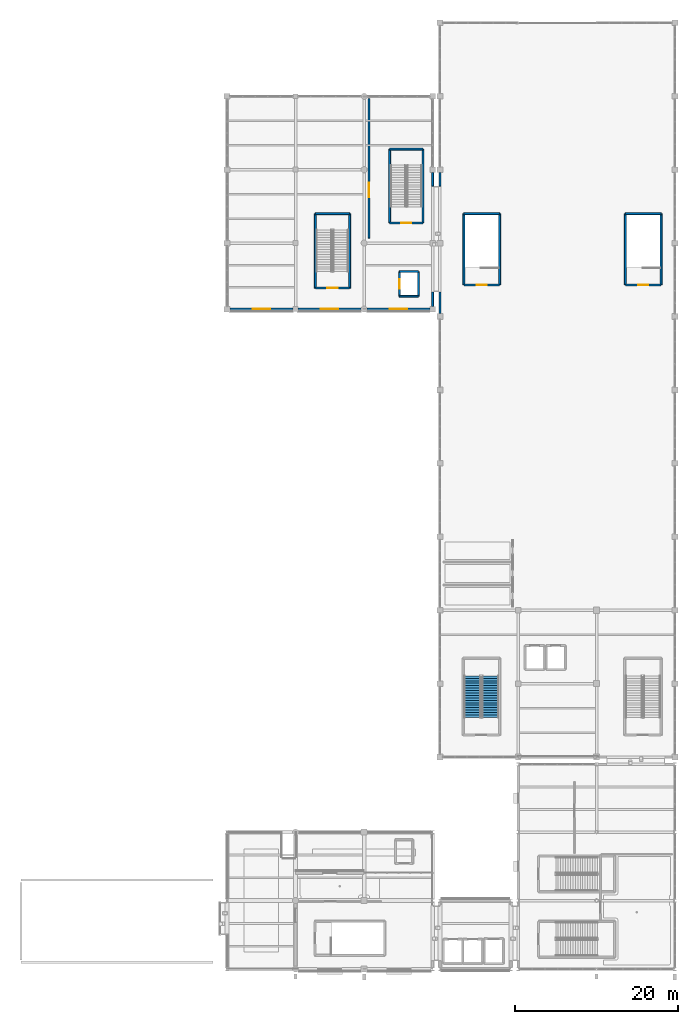
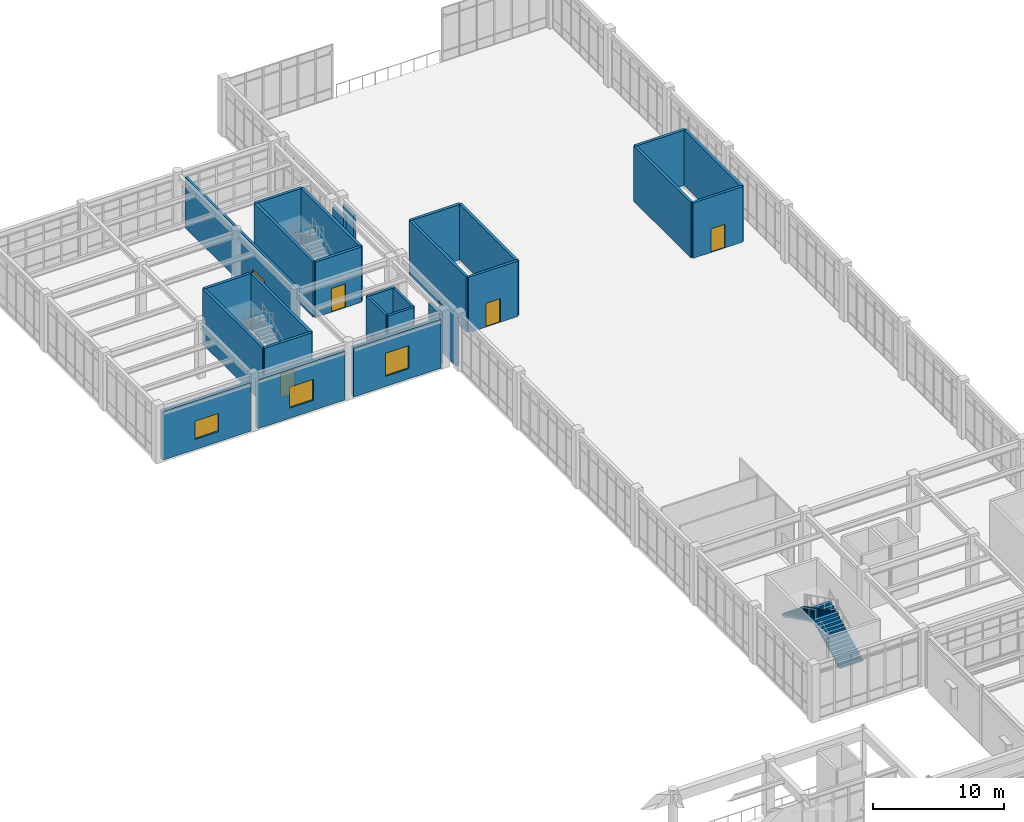
# One storey, part 67 of 80: 28 walls, 6 doors, 3 windows, 2 stair flights, 9 openings, 1 element without a shape of its own.
"""IFC4 building model written with IfcOpenShell, lengths in metres."""

from ifc_helpers import new_model, si_unit, direction, frame, frame_2d, origin, place, context, subcontext, project, spatial, polyline, rectangle, outline, extrude, material, layer, layer_set, type_object, element, fill, aggregate, save


model = new_model("IFC4")

# Units and contexts
model_context = context("Model", 3, precision=1e-05, world=origin(), true_north=direction((0.0, 1.0)))
body_context = subcontext(model_context, "Body", "Model", "MODEL_VIEW")
ifc_project = project(units=[si_unit("LENGTHUNIT", "METRE"), si_unit("AREAUNIT", "SQUARE_METRE"), si_unit("VOLUMEUNIT", "CUBIC_METRE"), si_unit("PLANEANGLEUNIT", "RADIAN"), si_unit("MASSUNIT", "GRAM", prefix="KILO")], contexts=[model_context])

# Site, building, storey
site_placement = place(None, origin())
site = spatial("IfcSite", under=ifc_project, at=site_placement, CompositionType="ELEMENT")
building_placement = place(site_placement, origin())
building = spatial("IfcBuilding", under=site, at=building_placement, Name="Canglan Escarpment Cableway Terminal", CompositionType="ELEMENT")
storey_placement = place(building_placement, frame((0.0, 0.0, 19.199951171875)))
storey = spatial("IfcBuildingStorey", under=building, at=storey_placement, Name="L04", CompositionType="ELEMENT", Elevation=19.199951171875)

# Walls
ifc_material_1 = material(Name="Concrete C40", Category="concrete")
ifc_layer_1 = layer(ifc_material_1, 0.239990234375, Name="Concrete C40")
ifc_layer_set_1 = layer_set([ifc_layer_1], Name="Concrete C40")
wall_type_1 = type_object("IfcWallType", Name="WL-CORE-SHEAR-240", PredefinedType="SHEAR", material=ifc_layer_set_1)
wall_1_placement = place(storey_placement, frame((126.52001953125, 91.47998046875, 0.0), z_axis=(0.0, 0.0, 1.0), x_axis=(0.0, 1.0, 0.0)))
element("IfcWall", 1, at=wall_1_placement, inside=storey, type_object=wall_type_1, Name="Protected stair core wall ST-12 (L04)", PredefinedType="SHEAR", context=body_context, shape_type="SweptSolid", body=[
    extrude(rectangle(XDim=9.14013671875, YDim=0.239990234375, at=frame_2d((4.570068359375, 0.0))), origin(), (0.0, 0.0, 1.0), 5.16015625),
])
wall_2_placement = place(storey_placement, frame((126.52001953125, 100.6201171875, 0.0), z_axis=(0.0, 0.0, 1.0), x_axis=(-1.0, 0.0, 0.0)))
element("IfcWall", 2, at=wall_2_placement, inside=storey, type_object=wall_type_1, Name="Protected stair core wall ST-12 (L04)", PredefinedType="SHEAR", context=body_context, shape_type="SweptSolid", body=[
    extrude(rectangle(XDim=4.18994140625, YDim=0.239990234375, at=frame_2d((2.094970703125, 0.0))), origin(), (0.0, 0.0, 1.0), 5.16015625),
])
wall_3_placement = place(storey_placement, frame((122.330078125, 100.6201171875, 0.0), z_axis=(0.0, 0.0, 1.0), x_axis=(0.0, -1.0, 0.0)))
element("IfcWall", 3, at=wall_3_placement, inside=storey, type_object=wall_type_1, Name="Protected stair core wall ST-12 (L04)", PredefinedType="SHEAR", context=body_context, shape_type="SweptSolid", body=[
    extrude(rectangle(XDim=9.14013671875, YDim=0.239990234375, at=frame_2d((4.570068359375, 0.0))), origin(), (0.0, 0.0, 1.0), 5.16015625),
])

# Wall, opening, door
wall_4_placement = place(storey_placement, frame((122.330078125, 91.47998046875, 0.0), z_axis=(0.0, 0.0, 1.0), x_axis=(1.0, 0.0, 0.0)))
wall_4 = element("IfcWall", 4, at=wall_4_placement, inside=storey, type_object=wall_type_1, Name="Protected stair core wall ST-12 (L04)", PredefinedType="SHEAR", context=body_context, shape_type="SweptSolid", body=[
    extrude(rectangle(XDim=4.18994140625, YDim=0.239990234375, at=frame_2d((2.094970703125, 0.0))), origin(), (0.0, 0.0, 1.0), 5.16015625),
])
opening_1_placement = place(wall_4_placement, frame((1.469970703125, 0.0, 0.0)))
opening_1 = element("IfcOpeningElement", 5, at=opening_1_placement, cuts=wall_4, Name="Opening SD-D1", PredefinedType="OPENING", context=body_context, shape_type="SweptSolid", body=[
    extrude(rectangle(XDim=1.25, YDim=2.199951171875, at=frame_2d((0.625, 1.10009765625))), frame((0.0, 0.1298828125, 0.0), z_axis=(0.0, -1.0, 0.0), x_axis=(1.0, 0.0, 0.0)), (0.0, 0.0, 1.0), 0.260009765625),
])
ifc_material_2 = material(Name="Steel fire-resisting stair door", Category="steel")
door_type_1 = type_object("IfcDoorType", Name="DR-STAIR-EI90-1250", OperationType="NOTDEFINED", PredefinedType="DOOR", material=ifc_material_2)
door_1_placement = place(opening_1_placement, origin())
door_1 = element("IfcDoor", 6, at=door_1_placement, inside=storey, type_object=door_type_1, Name="Protected exit stair fire door ST-12 (L04)", OperationType="SINGLE_SWING_LEFT", OverallHeight=2.199951171875, OverallWidth=1.25, PredefinedType="DOOR", context=body_context, shape_type="SweptSolid", body=[
    extrude(rectangle(XDim=1.25, YDim=2.199951171875, at=frame_2d((0.625, 1.10009765625))), frame((0.0, 0.02490234375, 0.0), z_axis=(0.0, -1.0, 0.0), x_axis=(1.0, 0.0, 0.0)), (0.0, 0.0, 1.0), 0.050048828125),
])
fill(opening_1, door_1)

# Walls
wall_5_placement = place(storey_placement, frame((135.52001953125, 99.47998046875, 0.0), z_axis=(0.0, 0.0, 1.0), x_axis=(0.0, 1.0, 0.0)))
element("IfcWall", 7, at=wall_5_placement, inside=storey, type_object=wall_type_1, Name="Protected stair core wall ST-18 (L04)", PredefinedType="SHEAR", context=body_context, shape_type="SweptSolid", body=[
    extrude(rectangle(XDim=9.0400390625, YDim=0.239990234375, at=frame_2d((4.52001953125, 0.0))), origin(), (0.0, 0.0, 1.0), 5.16015625),
])
wall_6_placement = place(storey_placement, frame((135.52001953125, 108.52001953125, 0.0), z_axis=(0.0, 0.0, 1.0), x_axis=(-1.0, 0.0, 0.0)))
element("IfcWall", 8, at=wall_6_placement, inside=storey, type_object=wall_type_1, Name="Protected stair core wall ST-18 (L04)", PredefinedType="SHEAR", context=body_context, shape_type="SweptSolid", body=[
    extrude(rectangle(XDim=4.090087890625, YDim=0.239990234375, at=frame_2d((2.044921875, 0.0))), origin(), (0.0, 0.0, 1.0), 5.16015625),
])
wall_7_placement = place(storey_placement, frame((131.429931640625, 108.52001953125, 0.0), z_axis=(0.0, 0.0, 1.0), x_axis=(0.0, -1.0, 0.0)))
element("IfcWall", 9, at=wall_7_placement, inside=storey, type_object=wall_type_1, Name="Protected stair core wall ST-18 (L04)", PredefinedType="SHEAR", context=body_context, shape_type="SweptSolid", body=[
    extrude(rectangle(XDim=9.0400390625, YDim=0.239990234375, at=frame_2d((4.52001953125, 0.0))), origin(), (0.0, 0.0, 1.0), 5.16015625),
])

# Wall, opening, door
wall_8_placement = place(storey_placement, frame((131.429931640625, 99.47998046875, 0.0), z_axis=(0.0, 0.0, 1.0), x_axis=(1.0, 0.0, 0.0)))
wall_8 = element("IfcWall", 10, at=wall_8_placement, inside=storey, type_object=wall_type_1, Name="Protected stair core wall ST-18 (L04)", PredefinedType="SHEAR", context=body_context, shape_type="SweptSolid", body=[
    extrude(rectangle(XDim=4.090087890625, YDim=0.239990234375, at=frame_2d((2.044921875, 0.0))), origin(), (0.0, 0.0, 1.0), 5.16015625),
])
opening_2_placement = place(wall_8_placement, frame((1.419921875, 0.0, 0.0)))
opening_2 = element("IfcOpeningElement", 11, at=opening_2_placement, cuts=wall_8, Name="Opening SD-D1", PredefinedType="OPENING", context=body_context, shape_type="SweptSolid", body=[
    extrude(rectangle(XDim=1.25, YDim=2.199951171875, at=frame_2d((0.625, 1.10009765625))), frame((0.0, 0.1298828125, 0.0), z_axis=(0.0, -1.0, 0.0), x_axis=(1.0, 0.0, 0.0)), (0.0, 0.0, 1.0), 0.260009765625),
])
door_2_placement = place(opening_2_placement, origin())
door_2 = element("IfcDoor", 12, at=door_2_placement, inside=storey, type_object=door_type_1, Name="Protected exit stair fire door ST-18 (L04)", OperationType="SINGLE_SWING_RIGHT", OverallHeight=2.199951171875, OverallWidth=1.25, PredefinedType="DOOR", context=body_context, shape_type="SweptSolid", body=[
    extrude(rectangle(XDim=1.25, YDim=2.199951171875, at=frame_2d((0.625, 1.10009765625))), frame((0.0, 0.02490234375, 0.0), z_axis=(0.0, -1.0, 0.0), x_axis=(1.0, 0.0, 0.0)), (0.0, 0.0, 1.0), 0.050048828125),
])
fill(opening_2, door_2)

# Walls
wall_9_placement = place(storey_placement, frame((144.919921875, 91.8798828125, 0.0), z_axis=(0.0, 0.0, 1.0), x_axis=(0.0, 1.0, 0.0)))
element("IfcWall", 13, at=wall_9_placement, inside=storey, type_object=wall_type_1, Name="Protected stair core wall ST-16 (L04)", PredefinedType="SHEAR", context=body_context, shape_type="SweptSolid", body=[
    extrude(rectangle(XDim=8.740234375, YDim=0.239990234375, at=frame_2d((4.3701171875, 0.0))), origin(), (0.0, 0.0, 1.0), 5.16015625),
])
wall_10_placement = place(storey_placement, frame((144.919921875, 100.6201171875, 0.0), z_axis=(0.0, 0.0, 1.0), x_axis=(-1.0, 0.0, 0.0)))
element("IfcWall", 14, at=wall_10_placement, inside=storey, type_object=wall_type_1, Name="Protected stair core wall ST-16 (L04)", PredefinedType="SHEAR", context=body_context, shape_type="SweptSolid", body=[
    extrude(rectangle(XDim=4.389892578125, YDim=0.239990234375, at=frame_2d((2.19482421875, 0.0))), origin(), (0.0, 0.0, 1.0), 5.16015625),
])
wall_11_placement = place(storey_placement, frame((140.530029296875, 100.6201171875, 0.0), z_axis=(0.0, 0.0, 1.0), x_axis=(0.0, -1.0, 0.0)))
element("IfcWall", 15, at=wall_11_placement, inside=storey, type_object=wall_type_1, Name="Protected stair core wall ST-16 (L04)", PredefinedType="SHEAR", context=body_context, shape_type="SweptSolid", body=[
    extrude(rectangle(XDim=8.740234375, YDim=0.239990234375, at=frame_2d((4.3701171875, 0.0))), origin(), (0.0, 0.0, 1.0), 5.16015625),
])

# Wall, opening, door
wall_12_placement = place(storey_placement, frame((140.530029296875, 91.8798828125, 0.0), z_axis=(0.0, 0.0, 1.0), x_axis=(1.0, 0.0, 0.0)))
wall_12 = element("IfcWall", 16, at=wall_12_placement, inside=storey, type_object=wall_type_1, Name="Protected stair core wall ST-16 (L04)", PredefinedType="SHEAR", context=body_context, shape_type="SweptSolid", body=[
    extrude(rectangle(XDim=4.389892578125, YDim=0.239990234375, at=frame_2d((2.19482421875, 0.0))), origin(), (0.0, 0.0, 1.0), 5.16015625),
])
opening_3_placement = place(wall_12_placement, frame((1.570068359375, 0.0, 0.0)))
opening_3 = element("IfcOpeningElement", 17, at=opening_3_placement, cuts=wall_12, Name="Opening SD-D1", PredefinedType="OPENING", context=body_context, shape_type="SweptSolid", body=[
    extrude(rectangle(XDim=1.25, YDim=2.199951171875, at=frame_2d((0.625, 1.10009765625))), frame((0.0, 0.1298828125, 0.0), z_axis=(0.0, -1.0, 0.0), x_axis=(1.0, 0.0, 0.0)), (0.0, 0.0, 1.0), 0.260009765625),
])
door_3_placement = place(opening_3_placement, origin())
door_3 = element("IfcDoor", 18, at=door_3_placement, inside=storey, type_object=door_type_1, Name="Protected exit stair fire door ST-16 (L04)", OperationType="SINGLE_SWING_LEFT", OverallHeight=2.199951171875, OverallWidth=1.25, PredefinedType="DOOR", context=body_context, shape_type="SweptSolid", body=[
    extrude(rectangle(XDim=1.25, YDim=2.199951171875, at=frame_2d((0.625, 1.10009765625))), frame((0.0, 0.02490234375, 0.0), z_axis=(0.0, -1.0, 0.0), x_axis=(1.0, 0.0, 0.0)), (0.0, 0.0, 1.0), 0.050048828125),
])
fill(opening_3, door_3)

# Walls
wall_13_placement = place(storey_placement, frame((164.719970703125, 91.8798828125, 0.0), z_axis=(0.0, 0.0, 1.0), x_axis=(0.0, 1.0, 0.0)))
element("IfcWall", 19, at=wall_13_placement, inside=storey, type_object=wall_type_1, Name="Protected stair core wall ST-17 (L04)", PredefinedType="SHEAR", context=body_context, shape_type="SweptSolid", body=[
    extrude(rectangle(XDim=8.740234375, YDim=0.239990234375, at=frame_2d((4.3701171875, 0.0))), origin(), (0.0, 0.0, 1.0), 5.16015625),
])
wall_14_placement = place(storey_placement, frame((164.719970703125, 100.6201171875, 0.0), z_axis=(0.0, 0.0, 1.0), x_axis=(-1.0, 0.0, 0.0)))
element("IfcWall", 20, at=wall_14_placement, inside=storey, type_object=wall_type_1, Name="Protected stair core wall ST-17 (L04)", PredefinedType="SHEAR", context=body_context, shape_type="SweptSolid", body=[
    extrude(rectangle(XDim=4.389892578125, YDim=0.239990234375, at=frame_2d((2.19482421875, 0.0))), origin(), (0.0, 0.0, 1.0), 5.16015625),
])
wall_15_placement = place(storey_placement, frame((160.330078125, 100.6201171875, 0.0), z_axis=(0.0, 0.0, 1.0), x_axis=(0.0, -1.0, 0.0)))
element("IfcWall", 21, at=wall_15_placement, inside=storey, type_object=wall_type_1, Name="Protected stair core wall ST-17 (L04)", PredefinedType="SHEAR", context=body_context, shape_type="SweptSolid", body=[
    extrude(rectangle(XDim=8.740234375, YDim=0.239990234375, at=frame_2d((4.3701171875, 0.0))), origin(), (0.0, 0.0, 1.0), 5.16015625),
])

# Wall, opening, door
wall_16_placement = place(storey_placement, frame((160.330078125, 91.8798828125, 0.0), z_axis=(0.0, 0.0, 1.0), x_axis=(1.0, 0.0, 0.0)))
wall_16 = element("IfcWall", 22, at=wall_16_placement, inside=storey, type_object=wall_type_1, Name="Protected stair core wall ST-17 (L04)", PredefinedType="SHEAR", context=body_context, shape_type="SweptSolid", body=[
    extrude(rectangle(XDim=4.389892578125, YDim=0.239990234375, at=frame_2d((2.19482421875, 0.0))), origin(), (0.0, 0.0, 1.0), 5.16015625),
])
opening_4_placement = place(wall_16_placement, frame((1.570068359375, 0.0, 0.0)))
opening_4 = element("IfcOpeningElement", 23, at=opening_4_placement, cuts=wall_16, Name="Opening SD-D1", PredefinedType="OPENING", context=body_context, shape_type="SweptSolid", body=[
    extrude(rectangle(XDim=1.25, YDim=2.199951171875, at=frame_2d((0.625, 1.10009765625))), frame((0.0, 0.1298828125, 0.0), z_axis=(0.0, -1.0, 0.0), x_axis=(1.0, 0.0, 0.0)), (0.0, 0.0, 1.0), 0.260009765625),
])
door_4_placement = place(opening_4_placement, origin())
door_4 = element("IfcDoor", 24, at=door_4_placement, inside=storey, type_object=door_type_1, Name="Protected exit stair fire door ST-17 (L04)", OperationType="SINGLE_SWING_LEFT", OverallHeight=2.199951171875, OverallWidth=1.25, PredefinedType="DOOR", context=body_context, shape_type="SweptSolid", body=[
    extrude(rectangle(XDim=1.25, YDim=2.199951171875, at=frame_2d((0.625, 1.10009765625))), frame((0.0, 0.02490234375, 0.0), z_axis=(0.0, -1.0, 0.0), x_axis=(1.0, 0.0, 0.0)), (0.0, 0.0, 1.0), 0.050048828125),
])
fill(opening_4, door_4)

# Wall, opening, window
ifc_material_3 = material(Name="Bush-hammered granite ashlar on Concrete C40", Category="masonry")
ifc_layer_2 = layer(ifc_material_3, 0.340087890625, Name="Bush-hammered granite ashlar on Concrete C40")
ifc_layer_set_2 = layer_set([ifc_layer_2], Name="Bush-hammered granite ashlar on Concrete C40")
wall_type_2 = type_object("IfcWallType", Name="WL-EXT-GRAN-340", PredefinedType="STANDARD", material=ifc_layer_set_2)
wall_17_placement = place(storey_placement, frame((111.85009765625, 88.89990234375, 0.0), z_axis=(0.0, 0.0, 1.0), x_axis=(1.0, 0.0, 0.0)))
wall_17 = element("IfcWall", 25, at=wall_17_placement, inside=storey, type_object=wall_type_2, Name="Classical stone-faced exterior wall EW-FB8-L04-S-01", PredefinedType="STANDARD", context=body_context, shape_type="SweptSolid", body=[
    extrude(rectangle(XDim=7.75, YDim=0.340087890625, at=frame_2d((3.875, 0.0))), origin(), (0.0, 0.0, 1.0), 4.52099609375),
])
opening_5_placement = place(wall_17_placement, frame((2.824951171875, 0.0, 0.949951171875)))
opening_5 = element("IfcOpeningElement", 26, at=opening_5_placement, cuts=wall_17, Name="Opening W-18", PredefinedType="OPENING", context=body_context, shape_type="SweptSolid", body=[
    extrude(rectangle(XDim=2.10009765625, YDim=1.699951171875, at=frame_2d((1.050048828125, 0.85009765625))), frame((0.0, 0.18017578125, 0.0), z_axis=(0.0, -1.0, 0.0), x_axis=(1.0, 0.0, 0.0)), (0.0, 0.0, 1.0), 0.360107421875),
])
ifc_material_4 = material(Name="Anodized bronze aluminium and Low-E double glazing", Category="aluminium")
window_type_1 = type_object("IfcWindowType", Name="WIN-EXT-18", PartitioningType="DOUBLE_PANEL_VERTICAL", PredefinedType="WINDOW", material=ifc_material_4)
window_1_placement = place(opening_5_placement, origin())
window_1 = element("IfcWindow", 27, at=window_1_placement, inside=storey, type_object=window_type_1, Name="Classical module window W-18", OverallHeight=1.699951171875, OverallWidth=2.10009765625, PartitioningType="SINGLE_PANEL", PredefinedType="WINDOW", context=body_context, shape_type="SweptSolid", body=[
    extrude(rectangle(XDim=2.10009765625, YDim=1.699951171875, at=frame_2d((1.050048828125, 0.85009765625))), frame((0.0, 0.030029296875, 0.0), z_axis=(0.0, -1.0, 0.0), x_axis=(1.0, 0.0, 0.0)), (0.0, 0.0, 1.0), 0.06005859375),
])
fill(opening_5, window_1)

wall_18_placement = place(storey_placement, frame((120.199951171875, 88.89990234375, 0.0), z_axis=(0.0, 0.0, 1.0), x_axis=(1.0, 0.0, 0.0)))
wall_18 = element("IfcWall", 28, at=wall_18_placement, inside=storey, type_object=wall_type_2, Name="Classical stone-faced exterior wall EW-FB8-L04-S-02", PredefinedType="STANDARD", context=body_context, shape_type="SweptSolid", body=[
    extrude(rectangle(XDim=7.72509765625, YDim=0.340087890625, at=frame_2d((3.862548828125, 0.0))), origin(), (0.0, 0.0, 1.0), 4.551025390625),
])
opening_6_placement = place(wall_18_placement, frame((2.8125, 0.0, 0.949951171875)))
opening_6 = element("IfcOpeningElement", 29, at=opening_6_placement, cuts=wall_18, Name="Opening W-19", PredefinedType="OPENING", context=body_context, shape_type="SweptSolid", body=[
    extrude(rectangle(XDim=2.10009765625, YDim=1.949951171875, at=frame_2d((1.050048828125, 0.97509765625))), frame((0.0, 0.18017578125, 0.0), z_axis=(0.0, -1.0, 0.0), x_axis=(1.0, 0.0, 0.0)), (0.0, 0.0, 1.0), 0.360107421875),
])
window_type_2 = type_object("IfcWindowType", Name="WIN-EXT-19", PartitioningType="DOUBLE_PANEL_VERTICAL", PredefinedType="WINDOW", material=ifc_material_4)
window_2_placement = place(opening_6_placement, origin())
window_2 = element("IfcWindow", 30, at=window_2_placement, inside=storey, type_object=window_type_2, Name="Classical module window W-19", OverallHeight=1.949951171875, OverallWidth=2.10009765625, PartitioningType="SINGLE_PANEL", PredefinedType="WINDOW", context=body_context, shape_type="SweptSolid", body=[
    extrude(rectangle(XDim=2.10009765625, YDim=1.949951171875, at=frame_2d((1.050048828125, 0.97509765625))), frame((0.0, 0.030029296875, 0.0), z_axis=(0.0, -1.0, 0.0), x_axis=(1.0, 0.0, 0.0)), (0.0, 0.0, 1.0), 0.06005859375),
])
fill(opening_6, window_2)

wall_19_placement = place(storey_placement, frame((128.675048828125, 88.89990234375, 0.0), z_axis=(0.0, 0.0, 1.0), x_axis=(1.0, 0.0, 0.0)))
wall_19 = element("IfcWall", 31, at=wall_19_placement, inside=storey, type_object=wall_type_2, Name="Classical stone-faced exterior wall EW-FB8-L04-S-03", PredefinedType="STANDARD", context=body_context, shape_type="SweptSolid", body=[
    extrude(rectangle(XDim=7.675048828125, YDim=0.340087890625, at=frame_2d((3.83740234375, 0.0))), origin(), (0.0, 0.0, 1.0), 4.551025390625),
])
opening_7_placement = place(wall_19_placement, frame((2.78759765625, 0.0, 0.949951171875)))
opening_7 = element("IfcOpeningElement", 32, at=opening_7_placement, cuts=wall_19, Name="Opening W-20", PredefinedType="OPENING", context=body_context, shape_type="SweptSolid", body=[
    extrude(rectangle(XDim=2.10009765625, YDim=2.14990234375, at=frame_2d((1.050048828125, 1.074951171875))), frame((0.0, 0.18017578125, 0.0), z_axis=(0.0, -1.0, 0.0), x_axis=(1.0, 0.0, 0.0)), (0.0, 0.0, 1.0), 0.360107421875),
])
window_type_3 = type_object("IfcWindowType", Name="WIN-EXT-20", PartitioningType="DOUBLE_PANEL_VERTICAL", PredefinedType="WINDOW", material=ifc_material_4)
window_3_placement = place(opening_7_placement, origin())
window_3 = element("IfcWindow", 33, at=window_3_placement, inside=storey, type_object=window_type_3, Name="Classical module window W-20", OverallHeight=2.14990234375, OverallWidth=2.10009765625, PartitioningType="SINGLE_PANEL", PredefinedType="WINDOW", context=body_context, shape_type="SweptSolid", body=[
    extrude(rectangle(XDim=2.10009765625, YDim=2.14990234375, at=frame_2d((1.050048828125, 1.074951171875))), frame((0.0, 0.030029296875, 0.0), z_axis=(0.0, -1.0, 0.0), x_axis=(1.0, 0.0, 0.0)), (0.0, 0.0, 1.0), 0.06005859375),
])
fill(opening_7, window_3)

# Walls
ifc_material_5 = material(Name="Insulated stone-faced spandrel wall", Category="masonry")
ifc_layer_3 = layer(ifc_material_5, 0.22998046875, Name="Insulated stone-faced spandrel wall")
ifc_layer_set_3 = layer_set([ifc_layer_3], Name="Insulated stone-faced spandrel wall")
wall_type_3 = type_object("IfcWallType", Name="WL-EXT-LINK-230", PredefinedType="STANDARD", material=ifc_layer_set_3)
wall_20_placement = place(storey_placement, frame((136.699951171875, 89.25, 0.0), z_axis=(0.0, 0.0, 1.0), x_axis=(0.0, 1.0, 0.0)))
element("IfcWall", 34, at=wall_20_placement, inside=storey, type_object=wall_type_3, Name="Classical stone-faced exterior wall EW-FB8-L04-E-01-FL1", PredefinedType="STANDARD", context=body_context, shape_type="SweptSolid", body=[
    extrude(rectangle(XDim=1.75, YDim=0.22998046875, at=frame_2d((0.875, 0.0))), origin(), (0.0, 0.0, 1.0), 4.656982421875),
])
wall_21_placement = place(storey_placement, frame((136.699951171875, 104.0, 0.0), z_axis=(0.0, 0.0, 1.0), x_axis=(0.0, 1.0, 0.0)))
element("IfcWall", 35, at=wall_21_placement, inside=storey, type_object=wall_type_3, Name="Classical stone-faced exterior wall EW-FB8-L04-E-02-FL2", PredefinedType="STANDARD", context=body_context, shape_type="SweptSolid", body=[
    extrude(rectangle(XDim=1.64990234375, YDim=0.22998046875, at=frame_2d((0.824951171875, 0.0))), origin(), (0.0, 0.0, 1.0), 4.656982421875),
])
wall_22_placement = place(storey_placement, frame((137.60009765625, 88.35009765625, 0.0), z_axis=(0.0, 0.0, 1.0), x_axis=(0.0, 1.0, 0.0)))
element("IfcWall", 36, at=wall_22_placement, inside=storey, type_object=wall_type_3, Name="Classical stone-faced exterior wall EW-FB9-L04-W-07-FL1", PredefinedType="STANDARD", context=body_context, shape_type="SweptSolid", body=[
    extrude(rectangle(XDim=2.64990234375, YDim=0.22998046875, at=frame_2d((1.324951171875, 0.0))), origin(), (0.0, 0.0, 1.0), 4.551025390625),
])
wall_23_placement = place(storey_placement, frame((137.60009765625, 104.0, 0.0), z_axis=(0.0, 0.0, 1.0), x_axis=(0.0, 1.0, 0.0)))
element("IfcWall", 37, at=wall_23_placement, inside=storey, type_object=wall_type_3, Name="Classical stone-faced exterior wall EW-FB9-L04-W-08-FL2", PredefinedType="STANDARD", context=body_context, shape_type="SweptSolid", body=[
    extrude(rectangle(XDim=1.64990234375, YDim=0.22998046875, at=frame_2d((0.824951171875, 0.0))), origin(), (0.0, 0.0, 1.0), 4.551025390625),
])

# Wall, opening, door
ifc_material_6 = material(Name="Autoclaved aerated concrete blockwork", Category="masonry")
ifc_layer_4 = layer(ifc_material_6, 0.199951171875, Name="Autoclaved aerated concrete blockwork")
ifc_layer_set_4 = layer_set([ifc_layer_4], Name="Autoclaved aerated concrete blockwork")
wall_type_4 = type_object("IfcWallType", Name="WL-INT-FIRE-200-EI90", PredefinedType="PARTITIONING", material=ifc_layer_set_4)
wall_24_placement = place(storey_placement, frame((128.89990234375, 97.60009765625, 0.0), z_axis=(0.0, 0.0, 1.0), x_axis=(0.0, 1.0, 0.0)))
wall_24 = element("IfcWall", 38, at=wall_24_placement, inside=storey, type_object=wall_type_4, Name="Interior partition wall IW-L04-08-MAIN", PredefinedType="PARTITIONING", context=body_context, shape_type="SweptSolid", body=[
    extrude(rectangle(XDim=17.099853515625, YDim=0.199951171875, at=frame_2d((8.5498046875, 0.0))), origin(), (0.0, 0.0, 1.0), 4.695068359375),
])
opening_8_placement = place(wall_24_placement, frame((5.0, 0.0, 0.0)))
opening_8 = element("IfcOpeningElement", 39, at=opening_8_placement, cuts=wall_24, Name="Opening ID-29", PredefinedType="OPENING", context=body_context, shape_type="SweptSolid", body=[
    extrude(rectangle(XDim=1.800048828125, YDim=2.360107421875, at=frame_2d((0.89990234375, 1.18017578125))), frame((0.0, 0.10986328125, 0.0), z_axis=(0.0, -1.0, 0.0), x_axis=(1.0, 0.0, 0.0)), (0.0, 0.0, 1.0), 0.219970703125),
])
ifc_material_7 = material(Name="Fire-rated steel leaf", Category="steel")
door_type_2 = type_object("IfcDoorType", Name="DR-INT-ID-29", OperationType="NOTDEFINED", PredefinedType="DOOR", material=ifc_material_7)
door_5_placement = place(opening_8_placement, origin())
door_5 = element("IfcDoor", 40, at=door_5_placement, inside=storey, type_object=door_type_2, Name="Bullwheel Drive Room door ID-29", OperationType="DOUBLE_DOOR_SINGLE_SWING", OverallHeight=2.360107421875, OverallWidth=1.800048828125, PredefinedType="DOOR", context=body_context, shape_type="SweptSolid", body=[
    extrude(rectangle(XDim=1.800048828125, YDim=2.360107421875, at=frame_2d((0.89990234375, 1.18017578125))), frame((0.0, 0.02490234375, 0.0), z_axis=(0.0, -1.0, 0.0), x_axis=(1.0, 0.0, 0.0)), (0.0, 0.0, 1.0), 0.050048828125),
])
fill(opening_8, door_5)

# Walls
ifc_layer_5 = layer(ifc_material_1, 0.219970703125, Name="Concrete C40")
ifc_layer_set_5 = layer_set([ifc_layer_5], Name="Concrete C40")
wall_type_5 = type_object("IfcWallType", Name="WL-SHAFT-SHEAR-220", PredefinedType="SHEAR", material=ifc_layer_set_5)
wall_25_placement = place(storey_placement, frame((132.639892578125, 90.489990234375, 0.0), z_axis=(0.0, 0.0, 1.0), x_axis=(1.0, 0.0, 0.0)))
element("IfcWall", 41, at=wall_25_placement, inside=storey, type_object=wall_type_5, Name="Elevator core shaft wall LF-08 (L04)", PredefinedType="SHEAR", context=body_context, shape_type="SweptSolid", body=[
    extrude(rectangle(XDim=2.320068359375, YDim=0.219970703125, at=frame_2d((1.16015625, 0.0))), origin(), (0.0, 0.0, 1.0), 5.16015625),
])
wall_26_placement = place(storey_placement, frame((134.9599609375, 90.489990234375, 0.0), z_axis=(0.0, 0.0, 1.0), x_axis=(0.0, 1.0, 0.0)))
element("IfcWall", 42, at=wall_26_placement, inside=storey, type_object=wall_type_5, Name="Elevator core shaft wall LF-08 (L04)", PredefinedType="SHEAR", context=body_context, shape_type="SweptSolid", body=[
    extrude(rectangle(XDim=3.02001953125, YDim=0.219970703125, at=frame_2d((1.510009765625, 0.0))), origin(), (0.0, 0.0, 1.0), 5.16015625),
])
wall_27_placement = place(storey_placement, frame((134.9599609375, 93.510009765625, 0.0), z_axis=(0.0, 0.0, 1.0), x_axis=(-1.0, 0.0, 0.0)))
element("IfcWall", 43, at=wall_27_placement, inside=storey, type_object=wall_type_5, Name="Elevator core shaft wall LF-08 (L04)", PredefinedType="SHEAR", context=body_context, shape_type="SweptSolid", body=[
    extrude(rectangle(XDim=2.320068359375, YDim=0.219970703125, at=frame_2d((1.16015625, 0.0))), origin(), (0.0, 0.0, 1.0), 5.16015625),
])

# Wall, opening, door
wall_28_placement = place(storey_placement, frame((132.639892578125, 93.510009765625, 0.0), z_axis=(0.0, 0.0, 1.0), x_axis=(0.0, -1.0, 0.0)))
wall_28 = element("IfcWall", 44, at=wall_28_placement, inside=storey, type_object=wall_type_5, Name="Elevator core shaft wall LF-08 (L04)", PredefinedType="SHEAR", context=body_context, shape_type="SweptSolid", body=[
    extrude(rectangle(XDim=3.02001953125, YDim=0.219970703125, at=frame_2d((1.510009765625, 0.0))), origin(), (0.0, 0.0, 1.0), 5.16015625),
])
opening_9_placement = place(wall_28_placement, frame((0.909912109375, 0.0, 0.0)))
opening_9 = element("IfcOpeningElement", 45, at=opening_9_placement, cuts=wall_28, Name="Opening LD-02", PredefinedType="OPENING", context=body_context, shape_type="SweptSolid", body=[
    extrude(rectangle(XDim=1.199951171875, YDim=2.14990234375, at=frame_2d((0.60009765625, 1.074951171875))), frame((0.0, 0.1201171875, 0.0), z_axis=(0.0, -1.0, 0.0), x_axis=(1.0, 0.0, 0.0)), (0.0, 0.0, 1.0), 0.239990234375),
])
ifc_material_8 = material(Name="Fire-rated stainless steel lift landing door", Category="steel")
door_type_3 = type_object("IfcDoorType", Name="DR-LIFT-FIRE-1200", OperationType="DOUBLE_DOOR_SLIDING", PredefinedType="DOOR", material=ifc_material_8)
door_6_placement = place(opening_9_placement, origin())
door_6 = element("IfcDoor", 46, at=door_6_placement, inside=storey, type_object=door_type_3, Name="Elevator sliding landing door LF-08 (L04)", OperationType="DOUBLE_DOOR_SLIDING", OverallHeight=2.14990234375, OverallWidth=1.199951171875, PredefinedType="DOOR", context=body_context, shape_type="SweptSolid", body=[
    extrude(rectangle(XDim=1.199951171875, YDim=2.14990234375, at=frame_2d((0.60009765625, 1.074951171875))), frame((0.0, 0.02490234375, 0.0), z_axis=(0.0, -1.0, 0.0), x_axis=(1.0, 0.0, 0.0)), (0.0, 0.0, 1.0), 0.050048828125),
])
fill(opening_9, door_6)

# Stair, stair flights
stair_type = type_object("IfcStairType", Name="STR-DOGLEG-2050", PredefinedType="HALF_TURN_STAIR", material=ifc_material_1)
stair_placement = place(storey_placement, origin())
stair = element("IfcStair", 47, at=stair_placement, inside=storey, type_object=stair_type, Name="L04 Protected Exit Stair ST-13", PredefinedType="HALF_TURN_STAIR")
ifc_layer_6 = layer(ifc_material_1, 0.14990234375, Name="Concrete C40")
ifc_layer_set_6 = layer_set([ifc_layer_6], Name="Concrete C40")
stair_flight_type = type_object("IfcStairFlightType", Name="SFL-STRAIGHT-2050", PredefinedType="STRAIGHT", material=ifc_layer_set_6)
stair_flight_1_placement = place(storey_placement, frame((143.77490234375, 38.85009765625, 0.0), z_axis=(0.0, 0.0, 1.0), x_axis=(0.0, 1.0, 0.0)))
stair_flight_1 = element("IfcStairFlight", 48, at=stair_flight_1_placement, type_object=stair_flight_type, Name="ST-13 flight 1", NumberOfRisers=18, NumberOfTreads=17, PredefinedType="STRAIGHT", RiserHeight=0.15, TreadLength=0.3, context=body_context, shape_type="SweptSolid", body=[
    extrude(outline(polyline([(0.0, 0.0), (0.0, 0.14990234375), (0.300048828125, 0.14990234375), (0.300048828125, 0.300048828125), (0.60009765625, 0.300048828125), (0.60009765625, 0.449951171875), (0.89990234375, 0.449951171875), (0.89990234375, 0.60009765625), (1.199951171875, 0.60009765625), (1.199951171875, 0.75), (1.5, 0.75), (1.5, 0.89990234375), (1.800048828125, 0.89990234375), (1.800048828125, 1.050048828125), (2.10009765625, 1.050048828125), (2.10009765625, 1.199951171875), (2.39990234375, 1.199951171875), (2.39990234375, 1.35009765625), (2.699951171875, 1.35009765625), (2.699951171875, 1.5), (3.0, 1.5), (3.0, 1.64990234375), (3.300048828125, 1.64990234375), (3.300048828125, 1.800048828125), (3.60009765625, 1.800048828125), (3.60009765625, 1.949951171875), (3.89990234375, 1.949951171875), (3.89990234375, 2.10009765625), (4.199951171875, 2.10009765625), (4.199951171875, 2.25), (4.5, 2.25), (4.5, 2.39990234375), (4.800048828125, 2.39990234375), (4.800048828125, 2.550048828125), (5.10009765625, 2.550048828125), (5.10009765625, 2.699951171875), (5.10009765625, 2.38232421875), (0.335205078125, 0.0), (0.0, 0.0)])), frame((0.0, 1.02490234375, 0.0), z_axis=(0.0, -1.0, 0.0), x_axis=(1.0, 0.0, 0.0)), (0.0, 0.0, 1.0), 2.050048828125),
])
stair_flight_2_placement = place(storey_placement, frame((141.574951171875, 43.949951171875, 2.699951171875), z_axis=(0.0, 0.0, 1.0), x_axis=(0.0, -1.0, 0.0)))
stair_flight_2 = element("IfcStairFlight", 49, at=stair_flight_2_placement, type_object=stair_flight_type, Name="ST-13 flight 2", NumberOfRisers=18, NumberOfTreads=17, PredefinedType="STRAIGHT", RiserHeight=0.15, TreadLength=0.3, context=body_context, shape_type="SweptSolid", body=[
    extrude(outline(polyline([(0.0, 0.0), (0.0, 0.14990234375), (0.300048828125, 0.14990234375), (0.300048828125, 0.300048828125), (0.60009765625, 0.300048828125), (0.60009765625, 0.449951171875), (0.89990234375, 0.449951171875), (0.89990234375, 0.60009765625), (1.199951171875, 0.60009765625), (1.199951171875, 0.75), (1.5, 0.75), (1.5, 0.89990234375), (1.800048828125, 0.89990234375), (1.800048828125, 1.050048828125), (2.10009765625, 1.050048828125), (2.10009765625, 1.199951171875), (2.39990234375, 1.199951171875), (2.39990234375, 1.35009765625), (2.699951171875, 1.35009765625), (2.699951171875, 1.5), (3.0, 1.5), (3.0, 1.64990234375), (3.300048828125, 1.64990234375), (3.300048828125, 1.800048828125), (3.60009765625, 1.800048828125), (3.60009765625, 1.949951171875), (3.89990234375, 1.949951171875), (3.89990234375, 2.10009765625), (4.199951171875, 2.10009765625), (4.199951171875, 2.25), (4.5, 2.25), (4.5, 2.39990234375), (4.800048828125, 2.39990234375), (4.800048828125, 2.550048828125), (5.10009765625, 2.550048828125), (5.10009765625, 2.699951171875), (5.10009765625, 2.38232421875), (0.335205078125, 0.0), (0.0, 0.0)])), frame((0.0, 1.02490234375, 0.0), z_axis=(0.0, -1.0, 0.0), x_axis=(1.0, 0.0, 0.0)), (0.0, 0.0, 1.0), 2.050048828125),
])
aggregate(stair, [stair_flight_1, stair_flight_2])

save(model, "model.ifc")
